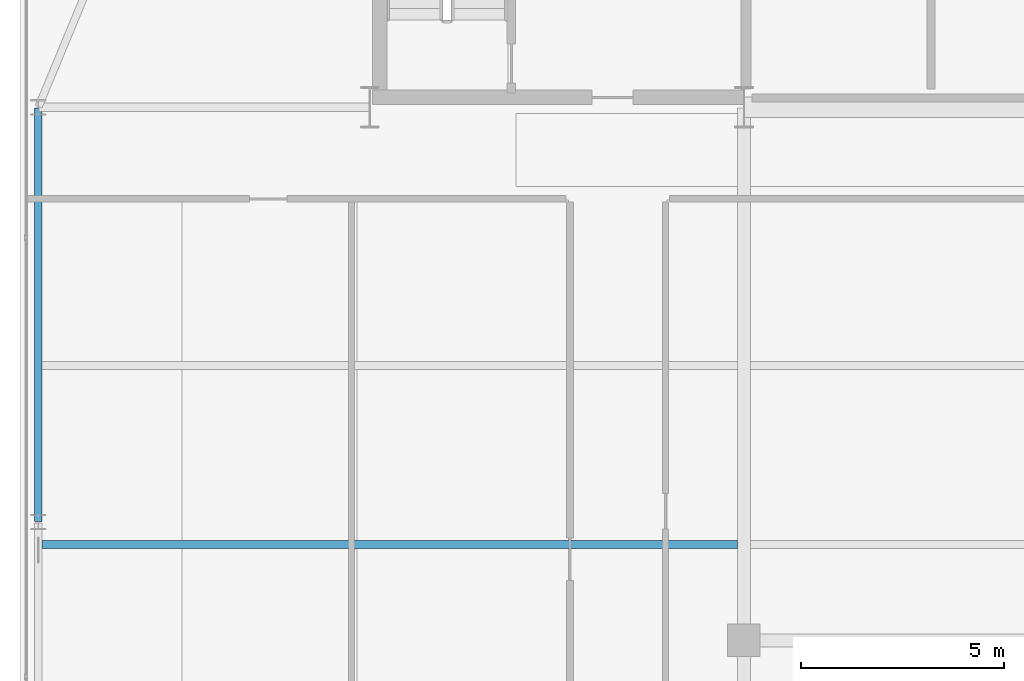
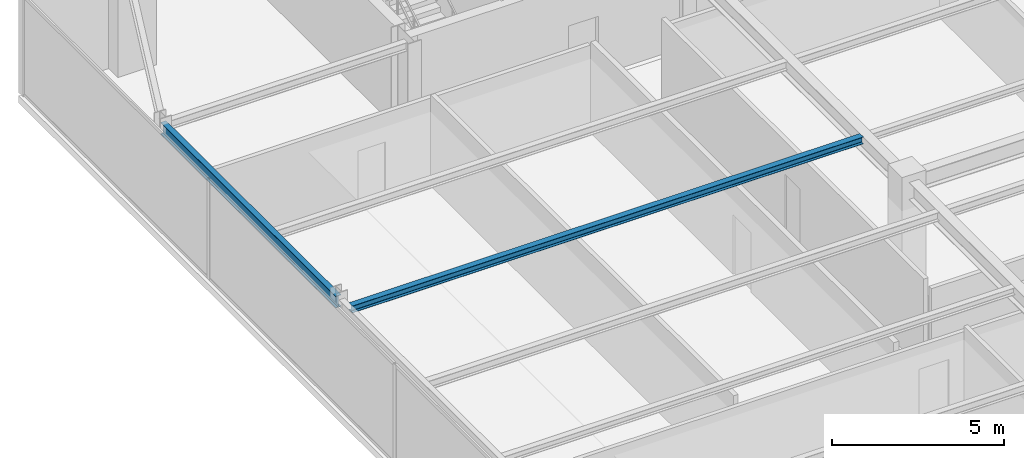
# One storey, part 11 of 31: 2 beams.
"""IFC4 building model written with IfcOpenShell, lengths in metres."""

from ifc_helpers import new_model, si_unit, direction, frame, origin, origin_2d, place, context, subcontext, project, spatial, i_section, extrude, source, transform, mapped, material, material_profile, profile_set, type_object, type_shapes, element, save


model = new_model("IFC4")

# Units and contexts
model_context = context("Model", 3, precision=1e-05, world=origin(), true_north=direction((0.0, 1.0)))
body_context = subcontext(model_context, "Body", "Model", "MODEL_VIEW")
ifc_project = project(units=[si_unit("LENGTHUNIT", "METRE"), si_unit("AREAUNIT", "SQUARE_METRE"), si_unit("VOLUMEUNIT", "CUBIC_METRE"), si_unit("PLANEANGLEUNIT", "RADIAN"), si_unit("MASSUNIT", "GRAM", prefix="KILO")], contexts=[model_context])

# Site, building, storey
site_placement = place(None, origin())
site = spatial("IfcSite", under=ifc_project, at=site_placement, CompositionType="ELEMENT")
building_placement = place(site_placement, origin())
building = spatial("IfcBuilding", under=site, at=building_placement, Name="Varnel Quay Broadcast Tower", CompositionType="ELEMENT")
storey_placement = place(building_placement, frame((0.0, 0.0, 183.800048828125)))
storey = spatial("IfcBuildingStorey", under=building, at=storey_placement, Name="L45", CompositionType="ELEMENT", Elevation=183.800048828125)

# Beams
ifc_material = material(Name="Structural Steel CSA G40.21 350W", Category="steel")
ifc_material_profile_1 = material_profile(ifc_material, i_section(OverallWidth=0.180908203125, OverallDepth=0.4169921875, WebThickness=0.010986328125, FlangeThickness=0.018310546875, FilletRadius=0.011962890625, at=origin_2d()), Name="W410X85")
ifc_profile_set_1 = profile_set([ifc_material_profile_1], Name="Structural Steel CSA G40.21 350W")
beam_type_1 = type_object("IfcBeamType", Name="Beam_W410X85", PredefinedType="SPANDREL", material=ifc_profile_set_1)
shared_shape_1 = source(origin(), body_context, "Body", "SweptSolid", [
    extrude(i_section(OverallWidth=0.180908203125, OverallDepth=0.4169921875, WebThickness=0.010986328125, FlangeThickness=0.018310546875, FilletRadius=0.011962890625, at=origin_2d()), origin(), (0.0, 0.0, 1.0), 10.16015625),
])
type_shapes(beam_type_1, [shared_shape_1])
beam_1_placement = place(storey_placement, frame((7.449951171875, 25.419921875, 3.341552734375), z_axis=(0.0, 1.0, 0.0), x_axis=(-1.0, 0.0, 0.0)))
element("IfcBeam", 1, at=beam_1_placement, inside=storey, type_object=beam_type_1, Name="L45 West Spandrel TC-W2-TC-W3", PredefinedType="SPANDREL", context=body_context, shape_type="MappedRepresentation", body=[
    mapped(shared_shape_1, transform((0.0, 0.0, 0.0), x_axis=(1.0, 0.0, 0.0), y_axis=(0.0, 1.0, 0.0), z_axis=(0.0, 0.0, 1.0), scale=1.0)),
])
ifc_material_profile_2 = material_profile(ifc_material, i_section(OverallWidth=0.201904296875, OverallDepth=0.2470703125, WebThickness=0.00732421875, FlangeThickness=0.010986328125, FilletRadius=0.010986328125, at=origin_2d()), Name="W250X49")
ifc_profile_set_2 = profile_set([ifc_material_profile_2], Name="Structural Steel CSA G40.21 350W")
beam_type_2 = type_object("IfcBeamType", Name="Beam_W250X49", PredefinedType="JOIST", material=ifc_profile_set_2)
shared_shape_2 = source(origin(), body_context, "Body", "SweptSolid", [
    extrude(i_section(OverallWidth=0.201904296875, OverallDepth=0.2470703125, WebThickness=0.00732421875, FlangeThickness=0.010986328125, FilletRadius=0.010986328125, at=origin_2d()), origin(), (0.0, 0.0, 1.0), 17.107177734375),
])
type_shapes(beam_type_2, [shared_shape_2])
beam_2_placement = place(storey_placement, frame((7.535400390625, 24.85009765625, 3.426513671875), z_axis=(1.0, 0.0, 0.0), x_axis=(0.0, 1.0, 0.0)))
element("IfcBeam", 2, at=beam_2_placement, inside=storey, type_object=beam_type_2, Name="L45 West Floor Joist 4", PredefinedType="JOIST", context=body_context, shape_type="MappedRepresentation", body=[
    mapped(shared_shape_2, transform((0.0, 0.0, 0.0), x_axis=(1.0, 0.0, 0.0), y_axis=(0.0, 1.0, 0.0), z_axis=(0.0, 0.0, 1.0), scale=1.0)),
])

save(model, "model.ifc")
